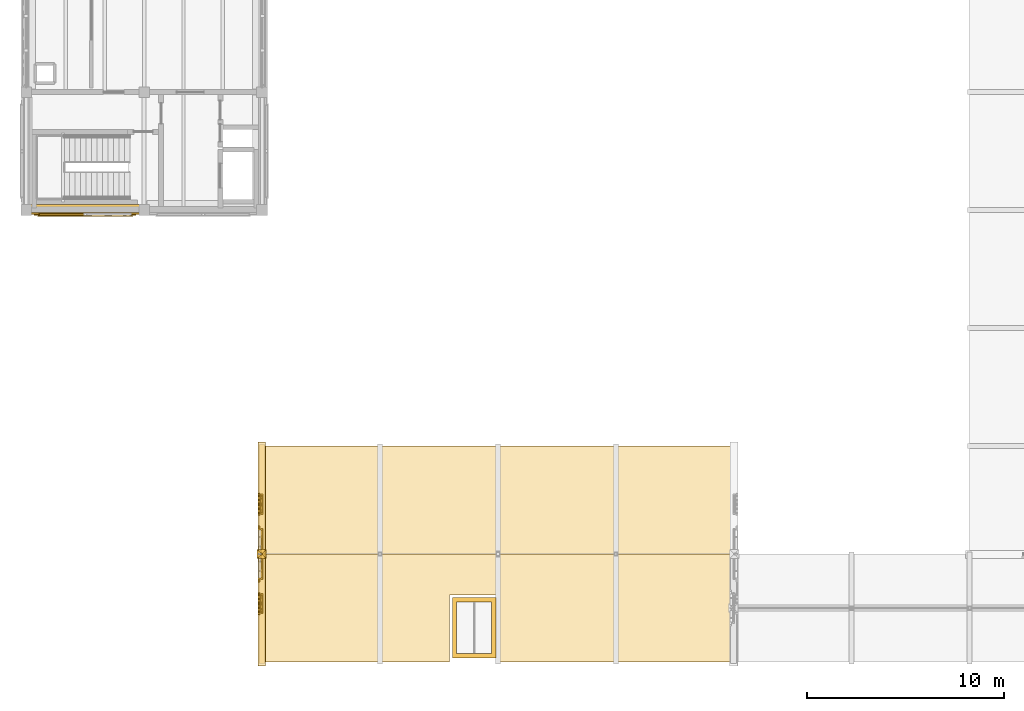
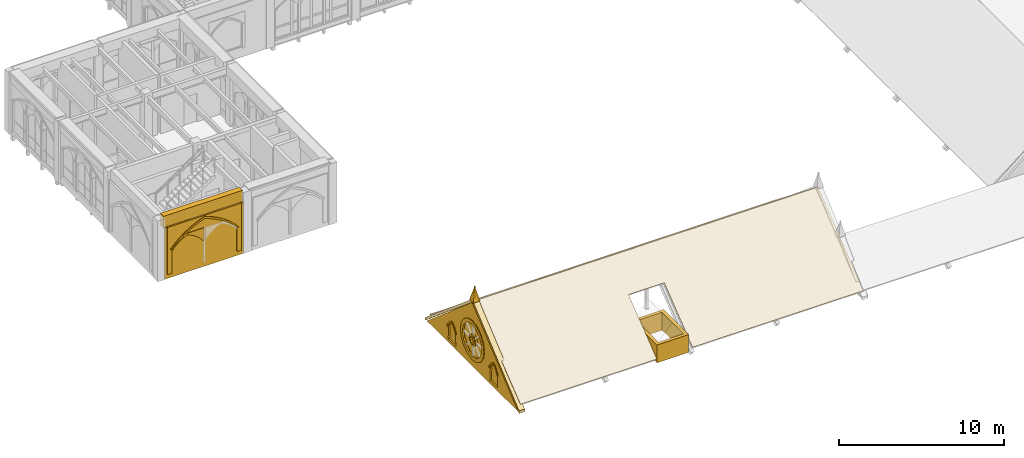
# One storey, part 85 of 108: 21 coverings.
"""IFC4 building model written with IfcOpenShell, lengths in metres."""

from ifc_helpers import new_model, si_unit, direction, frame, origin, origin_2d, place, context, subcontext, project, spatial, polyline, rectangle, outline, extrude, material, type_object, element, save


model = new_model("IFC4")

# Units and contexts
model_context = context("Model", 3, precision=1e-05, world=origin(), true_north=direction((0.0, 1.0)))
body_context = subcontext(model_context, "Body", "Model", "MODEL_VIEW")
ifc_project = project(units=[si_unit("LENGTHUNIT", "METRE"), si_unit("AREAUNIT", "SQUARE_METRE"), si_unit("VOLUMEUNIT", "CUBIC_METRE"), si_unit("PLANEANGLEUNIT", "RADIAN"), si_unit("MASSUNIT", "GRAM", prefix="KILO")], contexts=[model_context])

# Site, building, storey
site_placement = place(None, origin())
site = spatial("IfcSite", under=ifc_project, at=site_placement, CompositionType="ELEMENT")
building_placement = place(site_placement, origin())
building = spatial("IfcBuilding", under=site, at=building_placement, Name="Cumevento Cable Car Station", CompositionType="ELEMENT")
storey_placement = place(building_placement, frame((0.0, 0.0, 13.5)))
storey = spatial("IfcBuildingStorey", under=building, at=storey_placement, Name="L04", CompositionType="ELEMENT", Elevation=13.5)

# Coverings
ifc_material_1 = material(Name="Standing-Seam Zinc-Titanium Roof Sheet", Category="steel")
covering_type_1 = type_object("IfcCoveringType", Name="Standing-Seam Zinc Roofing CV-RF01", PredefinedType="ROOFING", material=ifc_material_1)
covering_1_placement = place(storey_placement, frame((22.0, 9.489990234375, 4.77294921875), z_axis=(0.0, -0.620333776875, 0.78433794073), x_axis=(1.0, 0.0, 0.0)))
element("IfcCovering", 1, at=covering_1_placement, inside=storey, type_object=covering_type_1, Name="Standing-Seam Zinc Roof Covering #23", PredefinedType="ROOFING", context=body_context, shape_type="SweptSolid", body=[
    extrude(outline(polyline([(0.0, 0.0), (24.0, 0.0), (24.0, -6.9995223376242865), (12.0400390625, -6.9995223376242865), (12.0400390625, -2.6392479753833706), (9.5400390625, -2.6392479753833706), (9.5400390625, -6.9995223376242865), (0.0, -6.9995223376242865), (0.0, 0.0)])), origin(), (0.0, 0.0, -1.0), 0.02587890625),
])
covering_2_placement = place(storey_placement, frame((22.0, 9.510009765625, 4.77294921875), z_axis=(0.0, 0.620333903684, 0.784337840436), x_axis=(1.0, 0.0, 0.0)))
element("IfcCovering", 2, at=covering_2_placement, inside=storey, type_object=covering_type_1, Name="Standing-Seam Zinc Roof Covering #24", PredefinedType="ROOFING", context=body_context, shape_type="SweptSolid", body=[
    extrude(outline(polyline([(0.0, 0.0), (24.0, 0.0), (24.0, 6.999522337624379), (0.0, 6.999522337624379), (0.0, 0.0)])), origin(), (0.0, 0.0, -1.0), 0.02587890625),
])
ifc_material_2 = material(Name="Gnaisse Facoidal Stone Ashlar 85 MPa", Category="masonry")
covering_type_2 = type_object("IfcCoveringType", Name="Gnaisse Ashlar Cladding CV-CL01", PredefinedType="CLADDING", material=ifc_material_2)
covering_3_placement = place(storey_placement, frame((13.0, 27.090087890625, 3.68896484375), z_axis=(0.0, 0.0, 1.0), x_axis=(-1.0, 0.0, 0.0)))
element("IfcCovering", 3, at=covering_3_placement, inside=storey, type_object=covering_type_2, Name="Gothic Stone Spandrel Stringcourse sc:0706", PredefinedType="CLADDING", context=body_context, shape_type="SweptSolid", body=[
    extrude(rectangle(XDim=5.510009765625, YDim=0.3798828125, at=origin_2d()), origin(), (0.0, 0.0, 1.0), 0.87890625),
])
covering_4_placement = place(storey_placement, frame((15.72509765625, 27.0, 0.0), z_axis=(0.0, 0.0, 1.0), x_axis=(-1.0, 0.0, 0.0)))
element("IfcCovering", 4, at=covering_4_placement, inside=storey, type_object=covering_type_2, Name="Exterior Gnaisse Stone Wall Ashlar #266", PredefinedType="CLADDING", context=body_context, shape_type="SweptSolid", body=[
    extrude(outline(polyline([(-0.0400390625, -0.02001953125), (5.489990234375, -0.02001953125), (5.489990234375, 3.76904296875), (-0.0400390625, 3.76904296875), (-0.0400390625, -0.02001953125)])), frame((0.0, 0.222412109375, 0.0), z_axis=(0.0, -1.0, 0.0), x_axis=(1.0, 0.0, 0.0)), (0.0, 0.0, 1.0), 0.0849609375),
])
covering_5_placement = place(storey_placement, frame((15.544921875, 27.0, 0.300048828125), z_axis=(0.0, 0.0, 1.0), x_axis=(-1.0, 0.0, 0.0)))
element("IfcCovering", 5, at=covering_5_placement, inside=storey, type_object=covering_type_2, Name="Gothic Ogival Pointed-Arch Stone Spandrel blind_ogival:0266", PredefinedType="CLADDING", context=body_context, shape_type="SweptSolid", body=[
    extrude(outline(polyline([(-0.050048828125, 0.0), (-0.050048828125, 3.489013671875), (5.139892578125, 3.489013671875), (5.139892578125, 0.0), (4.830078125, 0.0), (4.830078125, 1.79931640625), (4.5556640625, 2.080078125), (4.260986328125, 2.33935546875), (3.94775390625, 2.575927734375), (3.61767578125, 2.788330078125), (3.2724609375, 2.97509765625), (2.914306640625, 3.1357421875), (2.544921875, 3.268798828125), (2.17578125, 3.1357421875), (1.817626953125, 2.97509765625), (1.472412109375, 2.788330078125), (1.142333984375, 2.575927734375), (0.8291015625, 2.33935546875), (0.534423828125, 2.080078125), (0.260009765625, 1.79931640625), (0.260009765625, 0.0), (-0.050048828125, 0.0)])), frame((0.0, 0.277587890625, 0.0), z_axis=(0.0, -1.0, 0.0), x_axis=(1.0, 0.0, 0.0)), (0.0, 0.0, 1.0), 0.110107421875),
])
covering_6_placement = place(storey_placement, frame((15.544921875, 27.0, 2.099365234375), z_axis=(0.0, 0.0, 1.0), x_axis=(-1.0, 0.0, 0.0)))
element("IfcCovering", 6, at=covering_6_placement, inside=storey, type_object=covering_type_2, Name="Gothic Pointed Archivolt Hood Moulding blind_ogival:0266", PredefinedType="CLADDING", context=body_context, shape_type="SweptSolid", body=[
    extrude(outline(polyline([(0.260009765625, 0.0), (0.534423828125, 0.28076171875), (0.8291015625, 0.5400390625), (1.142333984375, 0.776611328125), (1.472412109375, 0.989013671875), (1.817626953125, 1.17578125), (2.17578125, 1.33642578125), (2.544921875, 1.469482421875), (2.914306640625, 1.33642578125), (3.2724609375, 1.17578125), (3.61767578125, 0.989013671875), (3.94775390625, 0.776611328125), (4.260986328125, 0.5400390625), (4.5556640625, 0.28076171875), (4.830078125, 0.0), (4.950927734375, 0.0), (4.6669921875, 0.30859375), (4.359619140625, 0.59423828125), (4.031005859375, 0.85498046875), (3.68310546875, 1.08935546875), (3.31787109375, 1.2958984375), (2.937744140625, 1.473388671875), (2.544921875, 1.620849609375), (2.15234375, 1.473388671875), (1.772216796875, 1.2958984375), (1.406982421875, 1.08935546875), (1.05908203125, 0.85498046875), (0.73046875, 0.59423828125), (0.423095703125, 0.30859375), (0.138916015625, 0.0), (0.260009765625, 0.0)])), frame((0.0, 0.319580078125, 0.0), z_axis=(0.0, -1.0, 0.0), x_axis=(1.0, 0.0, 0.0)), (0.0, 0.0, 1.0), 0.06689453125),
])
covering_7_placement = place(storey_placement, frame((12.955078125, 27.0, 1.91943359375), z_axis=(0.0, 0.0, 1.0), x_axis=(-1.0, 0.0, 0.0)))
element("IfcCovering", 7, at=covering_7_placement, inside=storey, type_object=covering_type_2, Name="Gothic Ogival Pointed-Arch Stone Spandrel blind_ogival:0266:sub:1", PredefinedType="CLADDING", context=body_context, shape_type="SweptSolid", body=[
    extrude(outline(polyline([(-0.02001953125, 0.0), (-0.02001953125, 0.944091796875), (2.2900390625, 0.944091796875), (2.2900390625, 0.0), (2.22998046875, 0.0), (2.084716796875, 0.180419921875), (1.922119140625, 0.345703125), (1.744140625, 0.493896484375), (1.55224609375, 0.6240234375), (1.3486328125, 0.734375), (1.135009765625, 0.82421875), (0.92138671875, 0.734375), (0.7177734375, 0.6240234375), (0.52587890625, 0.493896484375), (0.347900390625, 0.345703125), (0.185302734375, 0.180419921875), (0.0400390625, 0.0), (-0.02001953125, 0.0)])), frame((0.0, 0.261474609375, 0.0), z_axis=(0.0, -1.0, 0.0), x_axis=(1.0, 0.0, 0.0)), (0.0, 0.0, 1.0), 0.090087890625),
])
placement = place(storey_placement, frame((22.0, 4.0, 0.0), z_axis=(0.0, 0.0, 1.0), x_axis=(0.0, 1.0, 0.0)))
element("IfcCovering", 8, at=placement, inside=storey, type_object=covering_type_2, Name="Gothic Stone Gable Tympanum wing_B_V1a_W", PredefinedType="CLADDING", context=body_context, shape_type="SweptSolid", body=[
    extrude(outline(polyline([(-0.080078125, -0.06005859375), (11.080078125, -0.06005859375), (5.5, 4.7099609375), (-0.080078125, -0.06005859375)]), holes=[polyline([(6.75, 1.898193359375), (6.655029296875, 2.376708984375), (6.384033203125, 2.7822265625), (5.978271484375, 3.05322265625), (5.5, 3.1484375), (5.021728515625, 3.05322265625), (4.615966796875, 2.7822265625), (4.344970703125, 2.376708984375), (4.25, 1.898193359375), (4.344970703125, 1.419921875), (4.615966796875, 1.014404296875), (5.021728515625, 0.743408203125), (5.5, 0.648193359375), (5.978271484375, 0.743408203125), (6.384033203125, 1.014404296875), (6.655029296875, 1.419921875), (6.75, 1.898193359375)]), polyline([(2.50244140625, 0.179931640625), (3.4375, 0.179931640625), (3.38330078125, 1.2431640625), (3.307373046875, 1.373291015625), (3.21142578125, 1.4892578125), (3.097900390625, 1.58837890625), (2.969970703125, 1.66796875), (2.842041015625, 1.58837890625), (2.728515625, 1.4892578125), (2.632568359375, 1.373291015625), (2.556640625, 1.2431640625), (2.50244140625, 0.179931640625)]), polyline([(7.5625, 0.179931640625), (8.49755859375, 0.179931640625), (8.443603515625, 1.2431640625), (8.367431640625, 1.373291015625), (8.271484375, 1.4892578125), (8.157958984375, 1.58837890625), (8.030029296875, 1.66796875), (7.902099609375, 1.58837890625), (7.78857421875, 1.4892578125), (7.692626953125, 1.373291015625), (7.616455078125, 1.2431640625), (7.5625, 0.179931640625)])]), frame((0.0, 0.159912109375, 0.0), z_axis=(0.0, -1.0, 0.0), x_axis=(1.0, 0.0, 0.0)), (0.0, 0.0, 1.0), 0.300048828125),
])
element("IfcCovering", 9, at=placement, inside=storey, type_object=covering_type_2, Name="Gothic Gable Recessed Tracery Backing wing_B_V1a_W rose", PredefinedType="CLADDING", context=body_context, shape_type="SweptSolid", body=[
    extrude(outline(polyline([(6.7900390625, 1.898193359375), (6.69189453125, 2.39208984375), (6.412353515625, 2.810546875), (5.99365234375, 3.090087890625), (5.5, 3.1884765625), (5.00634765625, 3.090087890625), (4.587646484375, 2.810546875), (4.30810546875, 2.39208984375), (4.2099609375, 1.898193359375), (4.30810546875, 1.404541015625), (4.587646484375, 0.986083984375), (5.00634765625, 0.706298828125), (5.5, 0.608154296875), (5.99365234375, 0.706298828125), (6.412353515625, 0.986083984375), (6.69189453125, 1.404541015625), (6.7900390625, 1.898193359375)])), frame((0.0, 0.050048828125, 0.0), z_axis=(0.0, -1.0, 0.0), x_axis=(1.0, 0.0, 0.0)), (0.0, 0.0, 1.0), 0.074951171875),
])
element("IfcCovering", 10, at=placement, inside=storey, type_object=covering_type_2, Name="Gothic Gable Recessed Tracery Backing wing_B_V1a_W lancet_0", PredefinedType="CLADDING", context=body_context, shape_type="SweptSolid", body=[
    extrude(outline(polyline([(2.472412109375, 0.14990234375), (3.467529296875, 0.14990234375), (3.407958984375, 1.249267578125), (3.326171875, 1.384033203125), (3.22412109375, 1.50390625), (3.1044921875, 1.60595703125), (2.969970703125, 1.68798828125), (2.83544921875, 1.60595703125), (2.7158203125, 1.50390625), (2.61376953125, 1.384033203125), (2.531982421875, 1.249267578125), (2.472412109375, 0.14990234375)])), frame((0.0, 0.050048828125, 0.0), z_axis=(0.0, -1.0, 0.0), x_axis=(1.0, 0.0, 0.0)), (0.0, 0.0, 1.0), 0.074951171875),
])
element("IfcCovering", 11, at=placement, inside=storey, type_object=covering_type_2, Name="Gothic Gable Recessed Tracery Backing wing_B_V1a_W lancet_1", PredefinedType="CLADDING", context=body_context, shape_type="SweptSolid", body=[
    extrude(outline(polyline([(7.532470703125, 0.14990234375), (8.527587890625, 0.14990234375), (8.46826171875, 1.249267578125), (8.386474609375, 1.384033203125), (8.284423828125, 1.50390625), (8.16455078125, 1.60595703125), (8.030029296875, 1.68798828125), (7.8955078125, 1.60595703125), (7.775634765625, 1.50390625), (7.673583984375, 1.384033203125), (7.591796875, 1.249267578125), (7.532470703125, 0.14990234375)])), frame((0.0, 0.050048828125, 0.0), z_axis=(0.0, -1.0, 0.0), x_axis=(1.0, 0.0, 0.0)), (0.0, 0.0, 1.0), 0.074951171875),
])
element("IfcCovering", 12, at=placement, inside=storey, type_object=covering_type_2, Name="Gothic 16-Sided Stone Rose Window Ring wing_B_V1a_W", PredefinedType="CLADDING", context=body_context, shape_type="SweptSolid", body=[
    extrude(outline(polyline([(6.93017578125, 1.898193359375), (6.8212890625, 2.445556640625), (6.51123046875, 2.909423828125), (6.04736328125, 3.219482421875), (5.5, 3.328369140625), (4.95263671875, 3.219482421875), (4.48876953125, 2.909423828125), (4.1787109375, 2.445556640625), (4.06982421875, 1.898193359375), (4.1787109375, 1.35107421875), (4.48876953125, 0.886962890625), (4.95263671875, 0.5771484375), (5.5, 0.46826171875), (6.04736328125, 0.5771484375), (6.51123046875, 0.886962890625), (6.8212890625, 1.35107421875), (6.93017578125, 1.898193359375)]), holes=[polyline([(6.68017578125, 1.898193359375), (6.59033203125, 2.349853515625), (6.33447265625, 2.732666015625), (5.95166015625, 2.988525390625), (5.5, 3.078369140625), (5.04833984375, 2.988525390625), (4.66552734375, 2.732666015625), (4.40966796875, 2.349853515625), (4.31982421875, 1.898193359375), (4.40966796875, 1.44677734375), (4.66552734375, 1.06396484375), (5.04833984375, 0.80810546875), (5.5, 0.71826171875), (5.95166015625, 0.80810546875), (6.33447265625, 1.06396484375), (6.59033203125, 1.44677734375), (6.68017578125, 1.898193359375)])]), frame((0.0, 0.215087890625, 0.0), z_axis=(0.0, -1.0, 0.0), x_axis=(1.0, 0.0, 0.0)), (0.0, 0.0, 1.0), 0.110107421875),
])
element("IfcCovering", 13, at=placement, inside=storey, type_object=covering_type_2, Name="Gothic Rose Central Stone Oculus Hub wing_B_V1a_W", PredefinedType="CLADDING", context=body_context, shape_type="SweptSolid", body=[
    extrude(outline(polyline([(5.905029296875, 1.898193359375), (5.850830078125, 2.100830078125), (5.702392578125, 2.2490234375), (5.5, 2.30322265625), (5.297607421875, 2.2490234375), (5.149169921875, 2.100830078125), (5.094970703125, 1.898193359375), (5.149169921875, 1.69580078125), (5.297607421875, 1.547607421875), (5.5, 1.493408203125), (5.702392578125, 1.547607421875), (5.850830078125, 1.69580078125), (5.905029296875, 1.898193359375)]), holes=[polyline([(5.784912109375, 1.898193359375), (5.746826171875, 2.040771484375), (5.642578125, 2.14501953125), (5.5, 2.183349609375), (5.357421875, 2.14501953125), (5.253173828125, 2.040771484375), (5.215087890625, 1.898193359375), (5.253173828125, 1.755859375), (5.357421875, 1.6513671875), (5.5, 1.61328125), (5.642578125, 1.6513671875), (5.746826171875, 1.755859375), (5.784912109375, 1.898193359375)])]), frame((0.0, 0.18994140625, 0.0), z_axis=(0.0, -1.0, 0.0), x_axis=(1.0, 0.0, 0.0)), (0.0, 0.0, 1.0), 0.139892578125),
])
element("IfcCovering", 14, at=placement, inside=storey, type_object=covering_type_2, Name="Gable Lancet Stone Hood Moulding wing_B_V1a_W #1", PredefinedType="CLADDING", context=body_context, shape_type="SweptSolid", body=[
    extrude(outline(polyline([(2.50244140625, 1.1025390625), (2.556640625, 1.2431640625), (2.632568359375, 1.373291015625), (2.728515625, 1.4892578125), (2.842041015625, 1.58837890625), (2.969970703125, 1.66796875), (3.097900390625, 1.58837890625), (3.21142578125, 1.4892578125), (3.307373046875, 1.373291015625), (3.38330078125, 1.2431640625), (3.4375, 1.1025390625), (3.527587890625, 1.1025390625), (3.464111328125, 1.272705078125), (3.3740234375, 1.43017578125), (3.259521484375, 1.571044921875), (3.12353515625, 1.69140625), (2.969970703125, 1.787841796875), (2.81640625, 1.69140625), (2.680419921875, 1.571044921875), (2.56591796875, 1.43017578125), (2.475830078125, 1.272705078125), (2.41259765625, 1.1025390625), (2.50244140625, 1.1025390625)])), frame((0.0, 0.205078125, 0.0), z_axis=(0.0, -1.0, 0.0), x_axis=(1.0, 0.0, 0.0)), (0.0, 0.0, 1.0), 0.090087890625),
])
element("IfcCovering", 15, at=placement, inside=storey, type_object=covering_type_2, Name="Gable Lancet Stone Hood Moulding wing_B_V1a_W #2", PredefinedType="CLADDING", context=body_context, shape_type="SweptSolid", body=[
    extrude(outline(polyline([(7.5625, 1.1025390625), (7.616455078125, 1.2431640625), (7.692626953125, 1.373291015625), (7.78857421875, 1.4892578125), (7.902099609375, 1.58837890625), (8.030029296875, 1.66796875), (8.157958984375, 1.58837890625), (8.271484375, 1.4892578125), (8.367431640625, 1.373291015625), (8.443603515625, 1.2431640625), (8.49755859375, 1.1025390625), (8.58740234375, 1.1025390625), (8.524169921875, 1.272705078125), (8.43408203125, 1.43017578125), (8.319580078125, 1.571044921875), (8.183837890625, 1.69140625), (8.030029296875, 1.787841796875), (7.876220703125, 1.69140625), (7.740478515625, 1.571044921875), (7.6259765625, 1.43017578125), (7.535888671875, 1.272705078125), (7.472412109375, 1.1025390625), (7.5625, 1.1025390625)])), frame((0.0, 0.205078125, 0.0), z_axis=(0.0, -1.0, 0.0), x_axis=(1.0, 0.0, 0.0)), (0.0, 0.0, 1.0), 0.090087890625),
])
element("IfcCovering", 16, at=placement, inside=storey, type_object=covering_type_2, Name="Raking Gothic Stone Gable Coping wing_B_V1a_W", PredefinedType="CLADDING", context=body_context, shape_type="SweptSolid", body=[
    extrude(outline(polyline([(-0.199951171875, -0.06005859375), (5.5, 4.7099609375), (11.199951171875, -0.06005859375), (11.199951171875, 0.139892578125), (5.5, 4.949951171875), (-0.199951171875, 0.139892578125), (-0.199951171875, -0.06005859375)])), frame((0.0, 0.219970703125, 0.0), z_axis=(0.0, -1.0, 0.0), x_axis=(1.0, 0.0, 0.0)), (0.0, 0.0, 1.0), 0.39990234375),
])
for number, where, z_axis, x_axis, name in (
    (17, (22.2099609375, 9.260009765625, 4.81005859375), (0.97486272659, 0.0, 0.222806338116), (0.0, 1.0, 0.0), "Gothic Gable Finial Spire Facet 1 wing_B_V1a_W"),
    (18, (22.2099609375, 9.739990234375, 4.81005859375), (0.0, 0.97486272659, 0.222806338116), (-1.0, 0.0, 0.0), "Gothic Gable Finial Spire Facet 2 wing_B_V1a_W"),
    (19, (21.72998046875, 9.739990234375, 4.81005859375), (-0.97486272659, 0.0, 0.222806338116), (0.0, -1.0, 0.0), "Gothic Gable Finial Spire Facet 3 wing_B_V1a_W"),
    (20, (21.72998046875, 9.260009765625, 4.81005859375), (0.0, -0.97486272659, 0.222806338116), (1.0, 0.0, 0.0), "Gothic Gable Finial Spire Facet 4 wing_B_V1a_W"),
):
    element("IfcCovering", number, at=place(storey_placement, frame(where, z_axis=z_axis, x_axis=x_axis)), inside=storey, type_object=covering_type_2, Name=name, PredefinedType="CLADDING", context=body_context, shape_type="SweptSolid", body=[
        extrude(outline(polyline([(0.0, 0.0), (0.47998046875, 0.0), (0.239990234375, 1.0771248089437238), (0.0, 0.0)])), origin(), (0.0, 0.0, -1.0), 0.06494140625),
    ])
covering_17_placement = place(storey_placement, frame((0.0, 0.0, -0.030029296875)))
element("IfcCovering", 21, at=covering_17_placement, inside=storey, type_object=covering_type_2, Name="Gothic Stone Lift Overrun Turret #2", PredefinedType="CLADDING", context=body_context, shape_type="SweptSolid", body=[
    extrude(outline(polyline([(31.679931640625, 4.219970703125), (31.679931640625, 7.280029296875), (33.89990234375, 7.280029296875), (33.89990234375, 4.219970703125), (31.679931640625, 4.219970703125)]), holes=[polyline([(33.679931640625, 7.06005859375), (31.89990234375, 7.06005859375), (31.89990234375, 4.43994140625), (33.679931640625, 4.43994140625), (33.679931640625, 7.06005859375)])]), origin(), (0.0, 0.0, 1.0), 1.320068359375),
])

save(model, "model.ifc")
